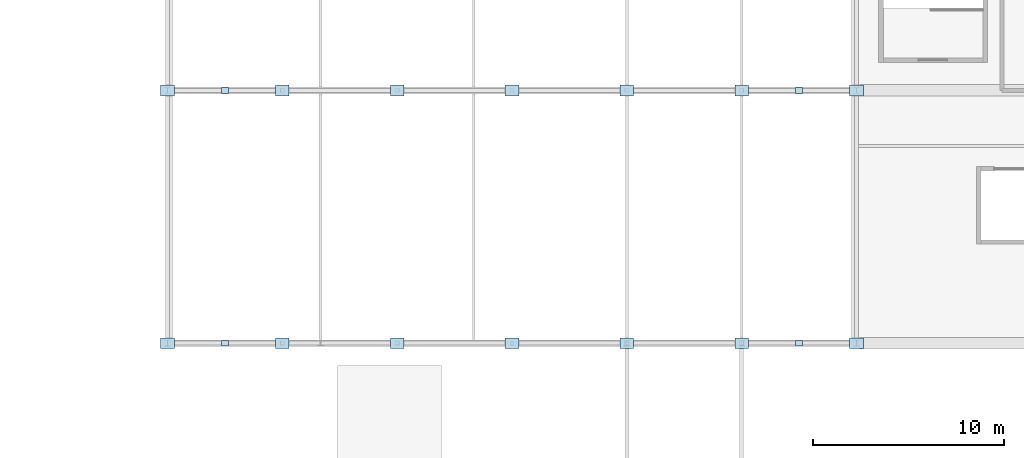
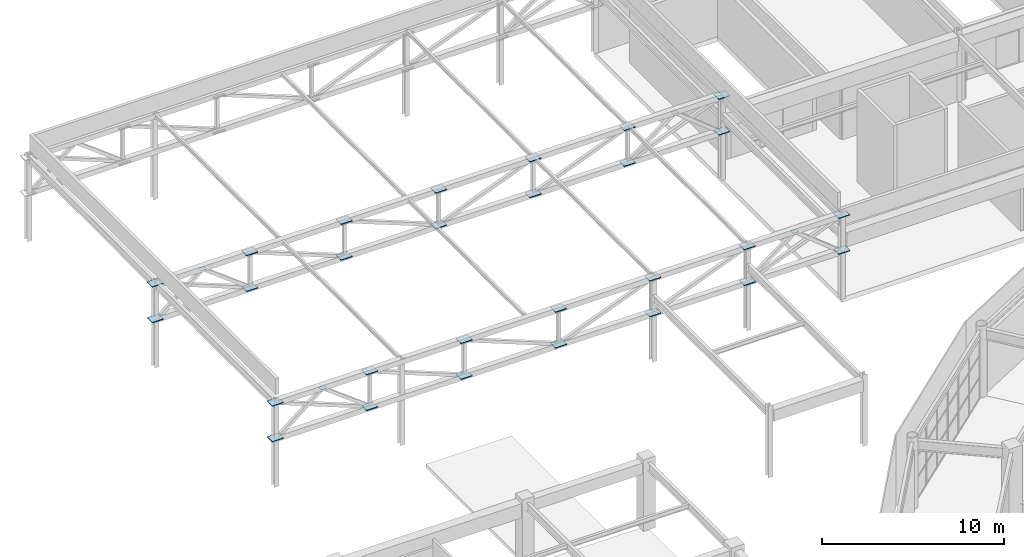
# One storey, part 90 of 122: 32 plates.
"""IFC4 building model written with IfcOpenShell, lengths in metres."""

from ifc_helpers import new_model, si_unit, direction, frame, origin, origin_2d, place, context, subcontext, project, spatial, rectangle, extrude, material, layer, layer_set, type_object, element, save


model = new_model("IFC4")

# Units and contexts
model_context = context("Model", 3, precision=1e-05, world=origin(), true_north=direction((0.0, 1.0)))
body_context = subcontext(model_context, "Body", "Model", "MODEL_VIEW")
ifc_project = project(units=[si_unit("LENGTHUNIT", "METRE"), si_unit("AREAUNIT", "SQUARE_METRE"), si_unit("VOLUMEUNIT", "CUBIC_METRE"), si_unit("PLANEANGLEUNIT", "RADIAN"), si_unit("MASSUNIT", "GRAM", prefix="KILO")], contexts=[model_context])

# Site, building, storey
site_placement = place(None, origin())
site = spatial("IfcSite", under=ifc_project, at=site_placement, CompositionType="ELEMENT")
building_placement = place(site_placement, origin())
building = spatial("IfcBuilding", under=site, at=building_placement, Name="Cuetzalor Civic Arena", CompositionType="ELEMENT")
storey_placement = place(building_placement, frame((0.0, 0.0, 16.199951171875)))
storey = spatial("IfcBuildingStorey", under=building, at=storey_placement, Name="L03", CompositionType="ELEMENT", Elevation=16.199951171875)

# Plates
ifc_material_1 = material(Name="Steel S355", Category="steel")
ifc_layer_1 = layer(ifc_material_1, 0.048095703125)
ifc_layer_set_1 = layer_set([ifc_layer_1], Name="Steel S355")
plate_type_1 = type_object("IfcPlateType", Name="NodalGussetPlate_GP08", PredefinedType="USERDEFINED", material=ifc_layer_set_1)
for number, where, z_axis, x_axis, name in (
    (1, (-72.0, 48.300048828125, 3.17578125), (0.0, 0.0, 1.0), (1.0, 0.0, 0.0), "Pratt Truss Node Gusset T1-N0-19"),
    (2, (-72.0, 48.300048828125, 5.576171875), (0.0, 0.0, 1.0), (1.0, 0.0, 0.0), "Pratt Truss Node Gusset T1-N0-21"),
    (3, (-66.0, 48.300048828125, 3.17578125), (0.0, 0.0, 1.0), (1.0, 0.0, 0.0), "Pratt Truss Node Gusset T1-N1-19"),
    (4, (-66.0, 48.300048828125, 5.576171875), (0.0, 0.0, 1.0), (1.0, 0.0, 0.0), "Pratt Truss Node Gusset T1-N1-21"),
    (5, (-60.0, 48.300048828125, 3.17578125), (0.0, 0.0, 1.0), (1.0, 0.0, 0.0), "Pratt Truss Node Gusset T1-N2-19"),
    (6, (-60.0, 48.300048828125, 5.576171875), (0.0, 0.0, 1.0), (1.0, 0.0, 0.0), "Pratt Truss Node Gusset T1-N2-21"),
    (7, (-54.0, 48.300048828125, 3.17578125), (0.0, 0.0, 1.0), (1.0, 0.0, 0.0), "Pratt Truss Node Gusset T1-N3-19"),
    (8, (-54.0, 48.300048828125, 5.576171875), (0.0, 0.0, 1.0), (1.0, 0.0, 0.0), "Pratt Truss Node Gusset T1-N3-21"),
    (9, (-48.0, 48.300048828125, 3.17578125), (0.0, 0.0, 1.0), (1.0, 0.0, 0.0), "Pratt Truss Node Gusset T1-N4-19"),
    (10, (-48.0, 48.300048828125, 5.576171875), (0.0, 0.0, 1.0), (1.0, 0.0, 0.0), "Pratt Truss Node Gusset T1-N4-21"),
    (11, (-42.0, 48.300048828125, 3.17578125), (0.0, 0.0, 1.0), (1.0, 0.0, 0.0), "Pratt Truss Node Gusset T1-N5-19"),
    (12, (-42.0, 48.300048828125, 5.576171875), (0.0, 0.0, 1.0), (1.0, 0.0, 0.0), "Pratt Truss Node Gusset T1-N5-21"),
    (13, (-36.0, 48.300048828125, 3.17578125), (0.0, 0.0, 1.0), (1.0, 0.0, 0.0), "Pratt Truss Node Gusset T1-N6-19"),
    (14, (-36.0, 48.300048828125, 5.576171875), (0.0, 0.0, 1.0), (1.0, 0.0, 0.0), "Pratt Truss Node Gusset T1-N6-21"),
    (15, (-72.0, 61.5, 3.17578125), (0.0, 0.0, 1.0), (1.0, 0.0, 0.0), "Pratt Truss Node Gusset T2-N0-19"),
    (16, (-72.0, 61.5, 5.576171875), (0.0, 0.0, 1.0), (1.0, 0.0, 0.0), "Pratt Truss Node Gusset T2-N0-21"),
    (17, (-66.0, 61.5, 3.17578125), (0.0, 0.0, 1.0), (1.0, 0.0, 0.0), "Pratt Truss Node Gusset T2-N1-19"),
    (18, (-66.0, 61.5, 5.576171875), (0.0, 0.0, 1.0), (1.0, 0.0, 0.0), "Pratt Truss Node Gusset T2-N1-21"),
    (19, (-60.0, 61.5, 3.17578125), (0.0, 0.0, 1.0), (1.0, 0.0, 0.0), "Pratt Truss Node Gusset T2-N2-19"),
    (20, (-60.0, 61.5, 5.576171875), (0.0, 0.0, 1.0), (1.0, 0.0, 0.0), "Pratt Truss Node Gusset T2-N2-21"),
    (21, (-54.0, 61.5, 3.17578125), (0.0, 0.0, 1.0), (1.0, 0.0, 0.0), "Pratt Truss Node Gusset T2-N3-19"),
    (22, (-54.0, 61.5, 5.576171875), (0.0, 0.0, 1.0), (1.0, 0.0, 0.0), "Pratt Truss Node Gusset T2-N3-21"),
    (23, (-48.0, 61.5, 3.17578125), (0.0, 0.0, 1.0), (1.0, 0.0, 0.0), "Pratt Truss Node Gusset T2-N4-19"),
    (24, (-48.0, 61.5, 5.576171875), (0.0, 0.0, 1.0), (1.0, 0.0, 0.0), "Pratt Truss Node Gusset T2-N4-21"),
    (25, (-42.0, 61.5, 3.17578125), (0.0, 0.0, 1.0), (1.0, 0.0, 0.0), "Pratt Truss Node Gusset T2-N5-19"),
    (26, (-42.0, 61.5, 5.576171875), (0.0, 0.0, 1.0), (1.0, 0.0, 0.0), "Pratt Truss Node Gusset T2-N5-21"),
    (27, (-36.0, 61.5, 3.17578125), (0.0, 0.0, 1.0), (1.0, 0.0, 0.0), "Pratt Truss Node Gusset T2-N6-19"),
    (28, (-36.0, 61.5, 5.576171875), (0.0, 0.0, 1.0), (1.0, 0.0, 0.0), "Pratt Truss Node Gusset T2-N6-21"),
):
    element("IfcPlate", number, at=place(storey_placement, frame(where, z_axis=z_axis, x_axis=x_axis)), inside=storey, type_object=plate_type_1, Name=name, ObjectType="GUSSET PLATE", PredefinedType="USERDEFINED", context=body_context, shape_type="SweptSolid", body=[
        extrude(rectangle(XDim=0.719970703125, YDim=0.56005859375, at=origin_2d()), origin(), (0.0, 0.0, 1.0), 0.048095703125),
    ])
ifc_material_2 = material(Name="Steel S355", Category="steel")
ifc_layer_2 = layer(ifc_material_2, 0.01611328125)
ifc_layer_set_2 = layer_set([ifc_layer_2], Name="Steel S355")
plate_type_2 = type_object("IfcPlateType", Name="TubeEndCapPlate_CP02", PredefinedType="SHEET", material=ifc_layer_set_2)
for number, where, z_axis, x_axis, name in (
    (29, (-69.0, 48.300048828125, 5.491943359375), (0.0, 0.0, 1.0), (1.0, 0.0, 0.0), "Pratt Sub-Panel Node Cap Plate T1-1"),
    (30, (-39.0, 48.300048828125, 5.491943359375), (0.0, 0.0, 1.0), (1.0, 0.0, 0.0), "Pratt Sub-Panel Node Cap Plate T1-2"),
    (31, (-69.0, 61.5, 5.491943359375), (0.0, 0.0, 1.0), (1.0, 0.0, 0.0), "Pratt Sub-Panel Node Cap Plate T2-1"),
    (32, (-39.0, 61.5, 5.491943359375), (0.0, 0.0, 1.0), (1.0, 0.0, 0.0), "Pratt Sub-Panel Node Cap Plate T2-2"),
):
    element("IfcPlate", number, at=place(storey_placement, frame(where, z_axis=z_axis, x_axis=x_axis)), inside=storey, type_object=plate_type_2, Name=name, PredefinedType="SHEET", context=body_context, shape_type="SweptSolid", body=[
        extrude(rectangle(XDim=0.360107421875, YDim=0.300048828125, at=origin_2d()), origin(), (0.0, 0.0, 1.0), 0.01611328125),
    ])

save(model, "model.ifc")
